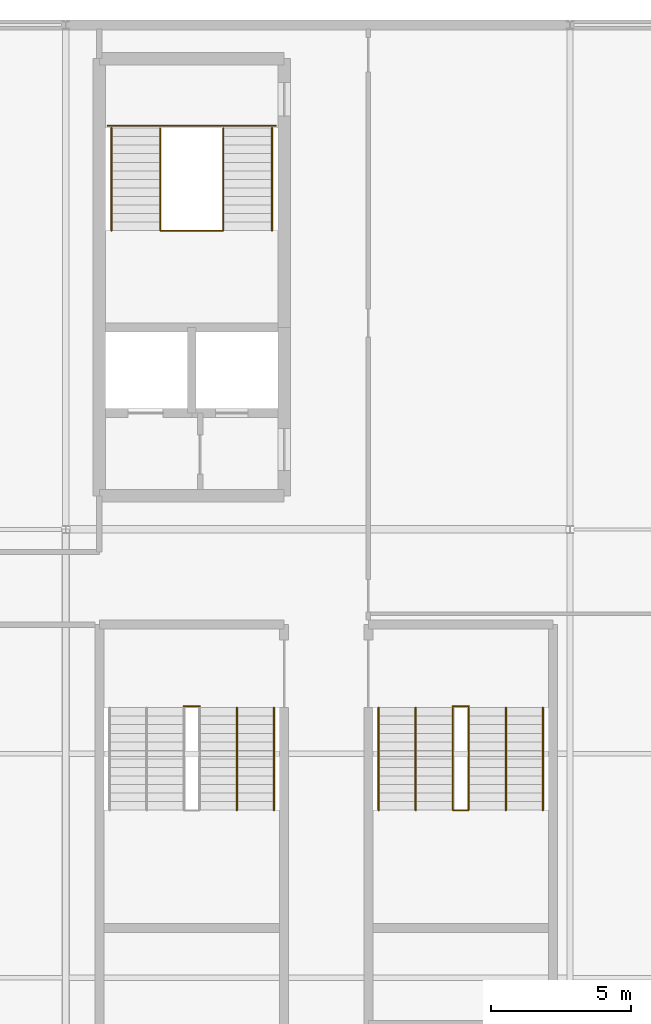
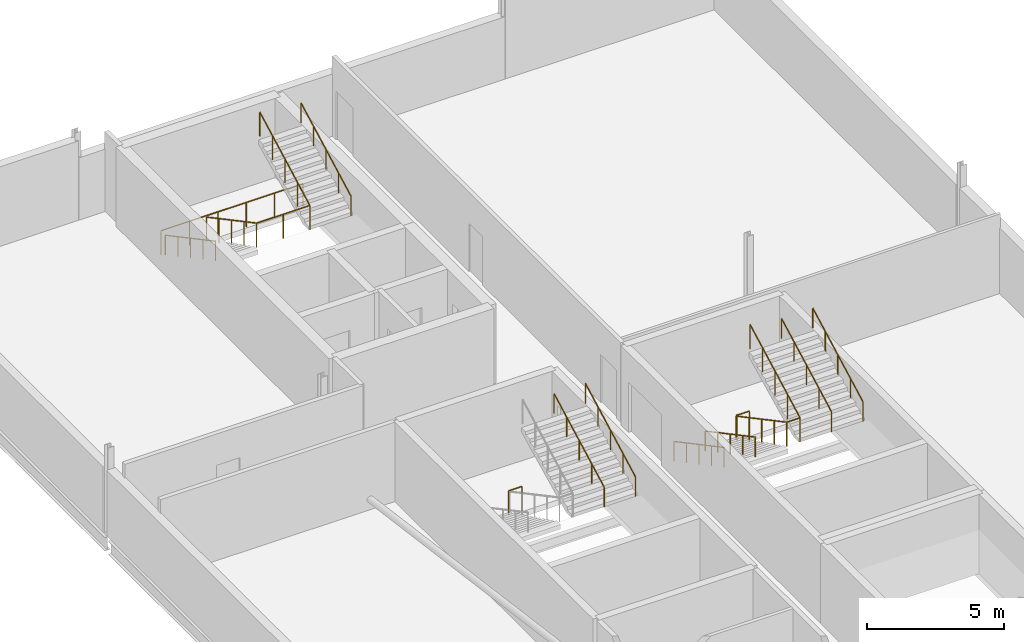
# One storey, part 27 of 30: 13 railings.
"""IFC4 building model written with IfcOpenShell, lengths in metres."""

from ifc_helpers import new_model, si_unit, direction, frame, origin, origin_2d, place, context, subcontext, project, spatial, circle, extrude, material, type_object, element, save


model = new_model("IFC4")

# Units and contexts
model_context = context("Model", 3, precision=1e-05, world=origin(), true_north=direction((0.0, 1.0)))
body_context = subcontext(model_context, "Body", "Model", "MODEL_VIEW")
ifc_project = project(units=[si_unit("LENGTHUNIT", "METRE"), si_unit("AREAUNIT", "SQUARE_METRE"), si_unit("VOLUMEUNIT", "CUBIC_METRE"), si_unit("PLANEANGLEUNIT", "RADIAN"), si_unit("MASSUNIT", "GRAM", prefix="KILO")], contexts=[model_context])

# Site, building, storey
site_placement = place(None, origin())
site = spatial("IfcSite", under=ifc_project, at=site_placement, CompositionType="ELEMENT")
building_placement = place(site_placement, origin())
building = spatial("IfcBuilding", under=site, at=building_placement, Name="Kisiwana Market Hall", CompositionType="ELEMENT")
storey_placement = place(building_placement, frame((0.0, 0.0, 54.0)))
storey = spatial("IfcBuildingStorey", under=building, at=storey_placement, Name="L12", CompositionType="ELEMENT", Elevation=54.0)

# Railings
ifc_material_1 = material(Name="Steel S275", Category="steel")
railing_type_1 = type_object("IfcRailingType", Name="RL-GUARD-1100", PredefinedType="GUARDRAIL", material=ifc_material_1)
railing_1_placement = place(storey_placement, frame((12.375, 98.325439453125, 0.0)))
element("IfcRailing", 1, at=railing_1_placement, inside=storey, type_object=railing_type_1, Name="Stair ST-W1-L12 inner-well guardrail (RL-1439)", PredefinedType="GUARDRAIL", context=body_context, shape_type="SweptSolid", body=[
    extrude(circle(Radius=0.02392578125, at=origin_2d()), frame((0.0, 0.0, 1.076171875), z_axis=(0.0, -0.88255331184, 0.47021234752), x_axis=(1.0, 0.0, 0.0)), (0.0, 0.0, 1.0), 4.14697265625),
    extrude(circle(Radius=0.02392578125, at=origin_2d()), frame((0.0, -3.659912109375, 3.02587890625), z_axis=(1.0, 0.0, 0.0), x_axis=(0.0, 1.0, 0.0)), (0.0, 0.0, 1.0), 2.25),
    extrude(circle(Radius=0.02392578125, at=origin_2d()), frame((2.25, -3.659912109375, 3.02587890625), z_axis=(0.0, 0.88255331184, 0.47021234752), x_axis=(-1.0, 0.0, 0.0)), (0.0, 0.0, 1.0), 4.14697265625),
    extrude(circle(Radius=0.02099609375, at=origin_2d()), origin(), (0.0, 0.0, 1.0), 1.052001953125),
    extrude(circle(Radius=0.02099609375, at=origin_2d()), frame((0.0, -0.9150390625, 0.487548828125)), (0.0, 0.0, 1.0), 1.052001953125),
    extrude(circle(Radius=0.02099609375, at=origin_2d()), frame((0.0, -1.830078125, 0.97509765625)), (0.0, 0.0, 1.0), 1.052001953125),
    extrude(circle(Radius=0.02099609375, at=origin_2d()), frame((0.0, -2.744873046875, 1.46240234375)), (0.0, 0.0, 1.0), 1.052001953125),
    extrude(circle(Radius=0.02099609375, at=origin_2d()), frame((0.0, -3.659912109375, 1.949951171875)), (0.0, 0.0, 1.0), 1.052001953125),
    extrude(circle(Radius=0.02099609375, at=origin_2d()), frame((1.125, -3.659912109375, 1.949951171875)), (0.0, 0.0, 1.0), 1.052001953125),
    extrude(circle(Radius=0.02099609375, at=origin_2d()), frame((2.25, -3.659912109375, 1.949951171875)), (0.0, 0.0, 1.0), 1.052001953125),
    extrude(circle(Radius=0.02099609375, at=origin_2d()), frame((2.25, -2.744873046875, 2.4375)), (0.0, 0.0, 1.0), 1.052001953125),
    extrude(circle(Radius=0.02099609375, at=origin_2d()), frame((2.25, -1.830078125, 2.9248046875)), (0.0, 0.0, 1.0), 1.052001953125),
    extrude(circle(Radius=0.02099609375, at=origin_2d()), frame((2.25, -0.9150390625, 3.412353515625)), (0.0, 0.0, 1.0), 1.052001953125),
    extrude(circle(Radius=0.02099609375, at=origin_2d()), frame((2.25, 0.0, 3.89990234375)), (0.0, 0.0, 1.0), 1.052001953125),
])
railing_2_placement = place(storey_placement, frame((10.5048828125, 98.405517578125, 0.0)))
element("IfcRailing", 2, at=railing_2_placement, inside=storey, type_object=railing_type_1, Name="Stair ST-W1-L12 landing edge guardrail (RL-1442)", PredefinedType="GUARDRAIL", context=body_context, shape_type="SweptSolid", body=[
    extrude(circle(Radius=0.02392578125, at=origin_2d()), frame((0.0, 0.0, 1.076171875), z_axis=(1.0, 0.0, 0.0), x_axis=(0.0, 1.0, 0.0)), (0.0, 0.0, 1.0), 5.990234375),
    extrude(circle(Radius=0.02099609375, at=origin_2d()), origin(), (0.0, 0.0, 1.0), 1.052001953125),
    extrude(circle(Radius=0.02099609375, at=origin_2d()), frame((1.197998046875, 0.0, 0.0)), (0.0, 0.0, 1.0), 1.052001953125),
    extrude(circle(Radius=0.02099609375, at=origin_2d()), frame((2.39599609375, 0.0, 0.0)), (0.0, 0.0, 1.0), 1.052001953125),
    extrude(circle(Radius=0.02099609375, at=origin_2d()), frame((3.59423828125, 0.0, 0.0)), (0.0, 0.0, 1.0), 1.052001953125),
    extrude(circle(Radius=0.02099609375, at=origin_2d()), frame((4.792236328125, 0.0, 0.0)), (0.0, 0.0, 1.0), 1.052001953125),
    extrude(circle(Radius=0.02099609375, at=origin_2d()), frame((5.990234375, 0.0, 0.0)), (0.0, 0.0, 1.0), 1.052001953125),
])
railing_3_placement = place(storey_placement, frame((13.219970703125, 77.68994140625, 0.0)))
element("IfcRailing", 3, at=railing_3_placement, inside=storey, type_object=railing_type_1, Name="Stair ST-W4-L12 landing edge guardrail (RL-1462)", PredefinedType="GUARDRAIL", context=body_context, shape_type="SweptSolid", body=[
    extrude(circle(Radius=0.02392578125, at=origin_2d()), frame((0.0, 0.0, 1.076171875), z_axis=(1.0, 0.0, 0.0), x_axis=(0.0, 1.0, 0.0)), (0.0, 0.0, 1.0), 0.56005859375),
    extrude(circle(Radius=0.02099609375, at=origin_2d()), origin(), (0.0, 0.0, 1.0), 1.052001953125),
    extrude(circle(Radius=0.02099609375, at=origin_2d()), frame((0.56005859375, 0.0, 0.0)), (0.0, 0.0, 1.0), 1.052001953125),
])
railing_4_placement = place(storey_placement, frame((22.820068359375, 77.639892578125, 0.0)))
element("IfcRailing", 4, at=railing_4_placement, inside=storey, type_object=railing_type_1, Name="Stair ST-W8-L12 inner-well guardrail (RL-1487)", PredefinedType="GUARDRAIL", context=body_context, shape_type="SweptSolid", body=[
    extrude(circle(Radius=0.02392578125, at=origin_2d()), frame((0.0, 0.0, 1.076171875), z_axis=(0.0, -0.88255331184, 0.47021234752), x_axis=(1.0, 0.0, 0.0)), (0.0, 0.0, 1.0), 4.14697265625),
    extrude(circle(Radius=0.02392578125, at=origin_2d()), frame((0.0, -3.659912109375, 3.02587890625), z_axis=(1.0, 0.0, 0.0), x_axis=(0.0, 1.0, 0.0)), (0.0, 0.0, 1.0), 0.559814453125),
    extrude(circle(Radius=0.02392578125, at=origin_2d()), frame((0.559814453125, -3.659912109375, 3.02587890625), z_axis=(0.0, 0.88255331184, 0.47021234752), x_axis=(-1.0, 0.0, 0.0)), (0.0, 0.0, 1.0), 4.14697265625),
    extrude(circle(Radius=0.02099609375, at=origin_2d()), origin(), (0.0, 0.0, 1.0), 1.052001953125),
    extrude(circle(Radius=0.02099609375, at=origin_2d()), frame((0.0, -0.9150390625, 0.487548828125)), (0.0, 0.0, 1.0), 1.052001953125),
    extrude(circle(Radius=0.02099609375, at=origin_2d()), frame((0.0, -1.830078125, 0.97509765625)), (0.0, 0.0, 1.0), 1.052001953125),
    extrude(circle(Radius=0.02099609375, at=origin_2d()), frame((0.0, -2.744873046875, 1.46240234375)), (0.0, 0.0, 1.0), 1.052001953125),
    extrude(circle(Radius=0.02099609375, at=origin_2d()), frame((0.0, -3.659912109375, 1.949951171875)), (0.0, 0.0, 1.0), 1.052001953125),
    extrude(circle(Radius=0.02099609375, at=origin_2d()), frame((0.559814453125, -3.659912109375, 1.949951171875)), (0.0, 0.0, 1.0), 1.052001953125),
    extrude(circle(Radius=0.02099609375, at=origin_2d()), frame((0.559814453125, -2.744873046875, 2.4375)), (0.0, 0.0, 1.0), 1.052001953125),
    extrude(circle(Radius=0.02099609375, at=origin_2d()), frame((0.559814453125, -1.830078125, 2.9248046875)), (0.0, 0.0, 1.0), 1.052001953125),
    extrude(circle(Radius=0.02099609375, at=origin_2d()), frame((0.559814453125, -0.9150390625, 3.412353515625)), (0.0, 0.0, 1.0), 1.052001953125),
    extrude(circle(Radius=0.02099609375, at=origin_2d()), frame((0.559814453125, 0.0, 3.89990234375)), (0.0, 0.0, 1.0), 1.052001953125),
])
railing_5_placement = place(storey_placement, frame((22.820068359375, 77.68994140625, 0.0)))
element("IfcRailing", 5, at=railing_5_placement, inside=storey, type_object=railing_type_1, Name="Stair ST-W8-L12 landing edge guardrail (RL-1492)", PredefinedType="GUARDRAIL", context=body_context, shape_type="SweptSolid", body=[
    extrude(circle(Radius=0.02392578125, at=origin_2d()), frame((0.0, 0.0, 1.076171875), z_axis=(1.0, 0.0, 0.0), x_axis=(0.0, 1.0, 0.0)), (0.0, 0.0, 1.0), 0.559814453125),
    extrude(circle(Radius=0.02099609375, at=origin_2d()), origin(), (0.0, 0.0, 1.0), 1.052001953125),
    extrude(circle(Radius=0.02099609375, at=origin_2d()), frame((0.559814453125, 0.0, 0.0)), (0.0, 0.0, 1.0), 1.052001953125),
])
ifc_material_2 = material(Name="Steel S275", Category="steel")
railing_type_2 = type_object("IfcRailingType", Name="RL-HAND-900", PredefinedType="HANDRAIL", material=ifc_material_2)
railing_6_placement = place(storey_placement, frame((10.635009765625, 98.325439453125, 0.0)))
element("IfcRailing", 6, at=railing_6_placement, inside=storey, type_object=railing_type_2, Name="Stair ST-W1-L12 flight 1 handrail (RL-1440)", PredefinedType="HANDRAIL", context=body_context, shape_type="SweptSolid", body=[
    extrude(circle(Radius=0.02392578125, at=origin_2d()), frame((0.0, 0.0, 0.8759765625), z_axis=(0.0, -0.88255331184, 0.47021234752), x_axis=(1.0, 0.0, 0.0)), (0.0, 0.0, 1.0), 4.14697265625),
    extrude(circle(Radius=0.02099609375, at=origin_2d()), origin(), (0.0, 0.0, 1.0), 0.851806640625),
    extrude(circle(Radius=0.02099609375, at=origin_2d()), frame((0.0, -0.9150390625, 0.487548828125)), (0.0, 0.0, 1.0), 0.851806640625),
    extrude(circle(Radius=0.02099609375, at=origin_2d()), frame((0.0, -1.830078125, 0.97509765625)), (0.0, 0.0, 1.0), 0.851806640625),
    extrude(circle(Radius=0.02099609375, at=origin_2d()), frame((0.0, -2.744873046875, 1.46240234375)), (0.0, 0.0, 1.0), 0.851806640625),
    extrude(circle(Radius=0.02099609375, at=origin_2d()), frame((0.0, -3.659912109375, 1.949951171875)), (0.0, 0.0, 1.0), 0.851806640625),
])
for number, where, name in (
    (7, (16.364990234375, 94.66552734375, 1.949951171875), "Stair ST-W1-L12 flight 2 handrail (RL-1441)"),
    (8, (16.429931640625, 73.97998046875, 1.949951171875), "Stair ST-W4-L12 flight 2 handrail (RL-1459)"),
    (9, (15.110107421875, 73.97998046875, 1.949951171875), "Stair ST-W4-L12 flight 2 intermediate handrail (RL-1461)"),
):
    element("IfcRailing", number, at=place(storey_placement, frame(where)), inside=storey, type_object=railing_type_2, Name=name, PredefinedType="HANDRAIL", context=body_context, shape_type="SweptSolid", body=[
        extrude(circle(Radius=0.02392578125, at=origin_2d()), frame((0.0, 0.0, 0.8759765625), z_axis=(0.0, 0.88255331184, 0.47021234752), x_axis=(-1.0, 0.0, 0.0)), (0.0, 0.0, 1.0), 4.14697265625),
        extrude(circle(Radius=0.02099609375, at=origin_2d()), origin(), (0.0, 0.0, 1.0), 0.851806640625),
        extrude(circle(Radius=0.02099609375, at=origin_2d()), frame((0.0, 0.9150390625, 0.487548828125)), (0.0, 0.0, 1.0), 0.851806640625),
        extrude(circle(Radius=0.02099609375, at=origin_2d()), frame((0.0, 1.830078125, 0.97509765625)), (0.0, 0.0, 1.0), 0.851806640625),
        extrude(circle(Radius=0.02099609375, at=origin_2d()), frame((0.0, 2.744873046875, 1.46240234375)), (0.0, 0.0, 1.0), 0.851806640625),
        extrude(circle(Radius=0.02099609375, at=origin_2d()), frame((0.0, 3.659912109375, 1.949951171875)), (0.0, 0.0, 1.0), 0.851806640625),
    ])
railing_7_placement = place(storey_placement, frame((20.169921875, 77.639892578125, 0.0)))
element("IfcRailing", 10, at=railing_7_placement, inside=storey, type_object=railing_type_2, Name="Stair ST-W8-L12 flight 1 handrail (RL-1488)", PredefinedType="HANDRAIL", context=body_context, shape_type="SweptSolid", body=[
    extrude(circle(Radius=0.02392578125, at=origin_2d()), frame((0.0, 0.0, 0.8759765625), z_axis=(0.0, -0.88255331184, 0.47021234752), x_axis=(1.0, 0.0, 0.0)), (0.0, 0.0, 1.0), 4.14697265625),
    extrude(circle(Radius=0.02099609375, at=origin_2d()), origin(), (0.0, 0.0, 1.0), 0.851806640625),
    extrude(circle(Radius=0.02099609375, at=origin_2d()), frame((0.0, -0.9150390625, 0.487548828125)), (0.0, 0.0, 1.0), 0.851806640625),
    extrude(circle(Radius=0.02099609375, at=origin_2d()), frame((0.0, -1.830078125, 0.97509765625)), (0.0, 0.0, 1.0), 0.851806640625),
    extrude(circle(Radius=0.02099609375, at=origin_2d()), frame((0.0, -2.744873046875, 1.46240234375)), (0.0, 0.0, 1.0), 0.851806640625),
    extrude(circle(Radius=0.02099609375, at=origin_2d()), frame((0.0, -3.659912109375, 1.949951171875)), (0.0, 0.0, 1.0), 0.851806640625),
])
railing_8_placement = place(storey_placement, frame((26.030029296875, 73.97998046875, 1.949951171875)))
element("IfcRailing", 11, at=railing_8_placement, inside=storey, type_object=railing_type_2, Name="Stair ST-W8-L12 flight 2 handrail (RL-1489)", PredefinedType="HANDRAIL", context=body_context, shape_type="SweptSolid", body=[
    extrude(circle(Radius=0.02392578125, at=origin_2d()), frame((0.0, 0.0, 0.8759765625), z_axis=(0.0, 0.88255331184, 0.47021234752), x_axis=(-1.0, 0.0, 0.0)), (0.0, 0.0, 1.0), 4.14697265625),
    extrude(circle(Radius=0.02099609375, at=origin_2d()), origin(), (0.0, 0.0, 1.0), 0.851806640625),
    extrude(circle(Radius=0.02099609375, at=origin_2d()), frame((0.0, 0.9150390625, 0.487548828125)), (0.0, 0.0, 1.0), 0.851806640625),
    extrude(circle(Radius=0.02099609375, at=origin_2d()), frame((0.0, 1.830078125, 0.97509765625)), (0.0, 0.0, 1.0), 0.851806640625),
    extrude(circle(Radius=0.02099609375, at=origin_2d()), frame((0.0, 2.744873046875, 1.46240234375)), (0.0, 0.0, 1.0), 0.851806640625),
    extrude(circle(Radius=0.02099609375, at=origin_2d()), frame((0.0, 3.659912109375, 1.949951171875)), (0.0, 0.0, 1.0), 0.851806640625),
])
railing_9_placement = place(storey_placement, frame((21.489990234375, 77.639892578125, 0.0)))
element("IfcRailing", 12, at=railing_9_placement, inside=storey, type_object=railing_type_2, Name="Stair ST-W8-L12 flight 1 intermediate handrail (RL-1490)", PredefinedType="HANDRAIL", context=body_context, shape_type="SweptSolid", body=[
    extrude(circle(Radius=0.02392578125, at=origin_2d()), frame((0.0, 0.0, 0.8759765625), z_axis=(0.0, -0.88255331184, 0.47021234752), x_axis=(1.0, 0.0, 0.0)), (0.0, 0.0, 1.0), 4.14697265625),
    extrude(circle(Radius=0.02099609375, at=origin_2d()), origin(), (0.0, 0.0, 1.0), 0.851806640625),
    extrude(circle(Radius=0.02099609375, at=origin_2d()), frame((0.0, -0.9150390625, 0.487548828125)), (0.0, 0.0, 1.0), 0.851806640625),
    extrude(circle(Radius=0.02099609375, at=origin_2d()), frame((0.0, -1.830078125, 0.97509765625)), (0.0, 0.0, 1.0), 0.851806640625),
    extrude(circle(Radius=0.02099609375, at=origin_2d()), frame((0.0, -2.744873046875, 1.46240234375)), (0.0, 0.0, 1.0), 0.851806640625),
    extrude(circle(Radius=0.02099609375, at=origin_2d()), frame((0.0, -3.659912109375, 1.949951171875)), (0.0, 0.0, 1.0), 0.851806640625),
])
railing_10_placement = place(storey_placement, frame((24.7099609375, 73.97998046875, 1.949951171875)))
element("IfcRailing", 13, at=railing_10_placement, inside=storey, type_object=railing_type_2, Name="Stair ST-W8-L12 flight 2 intermediate handrail (RL-1491)", PredefinedType="HANDRAIL", context=body_context, shape_type="SweptSolid", body=[
    extrude(circle(Radius=0.02392578125, at=origin_2d()), frame((0.0, 0.0, 0.8759765625), z_axis=(0.0, 0.88255331184, 0.47021234752), x_axis=(-1.0, 0.0, 0.0)), (0.0, 0.0, 1.0), 4.14697265625),
    extrude(circle(Radius=0.02099609375, at=origin_2d()), origin(), (0.0, 0.0, 1.0), 0.851806640625),
    extrude(circle(Radius=0.02099609375, at=origin_2d()), frame((0.0, 0.9150390625, 0.487548828125)), (0.0, 0.0, 1.0), 0.851806640625),
    extrude(circle(Radius=0.02099609375, at=origin_2d()), frame((0.0, 1.830078125, 0.97509765625)), (0.0, 0.0, 1.0), 0.851806640625),
    extrude(circle(Radius=0.02099609375, at=origin_2d()), frame((0.0, 2.744873046875, 1.46240234375)), (0.0, 0.0, 1.0), 0.851806640625),
    extrude(circle(Radius=0.02099609375, at=origin_2d()), frame((0.0, 3.659912109375, 1.949951171875)), (0.0, 0.0, 1.0), 0.851806640625),
])

save(model, "model.ifc")
